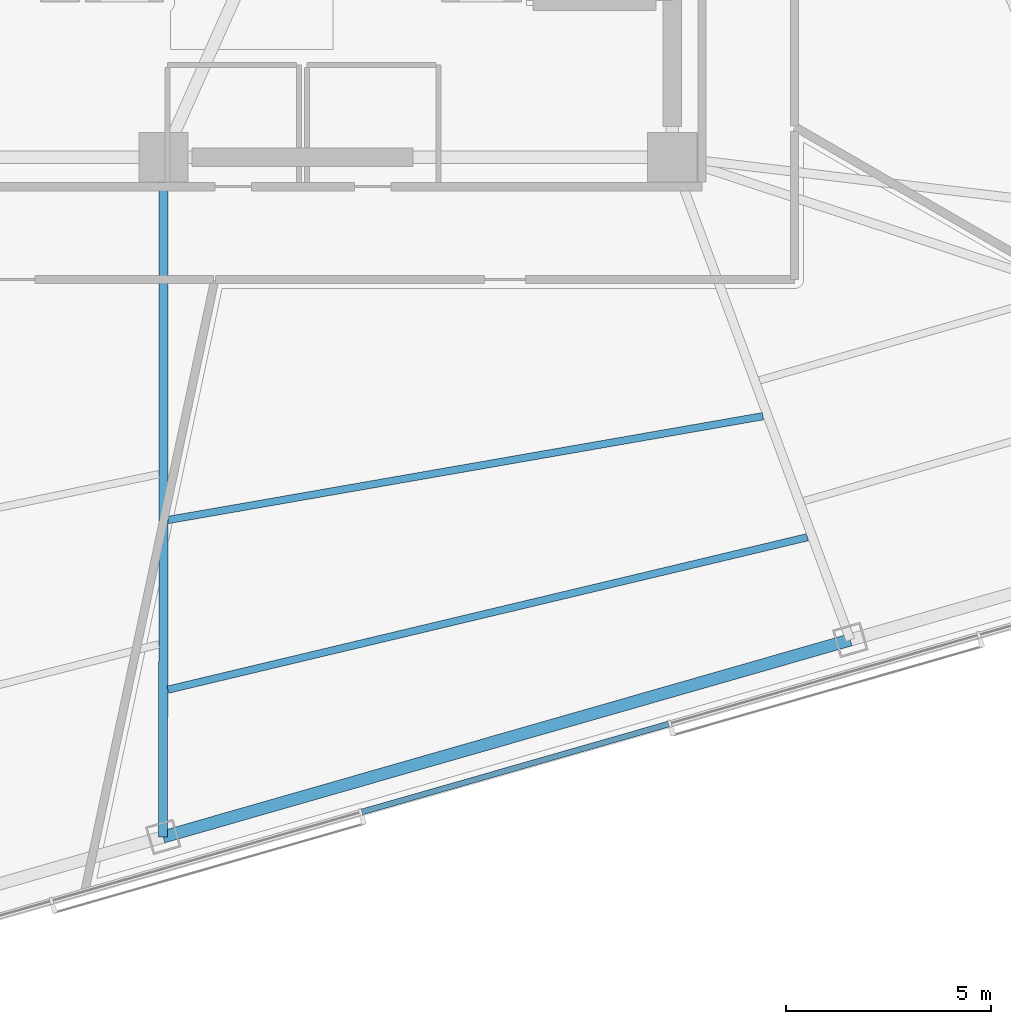
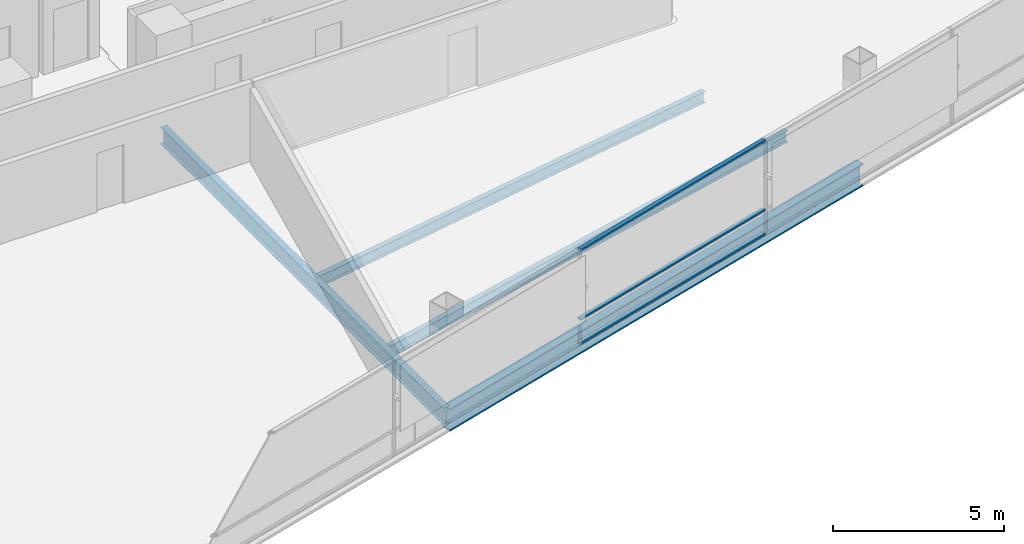
# One storey, part 3 of 16: 4 beams, 3 members, 1 element without a shape of its own.
"""IFC4 building model written with IfcOpenShell, lengths in metres."""

from ifc_helpers import new_model, si_unit, direction, frame, origin, origin_2d, place, context, subcontext, project, spatial, rectangle, i_section, extrude, material, layer, layer_set, material_profile, profile_set, type_object, element, aggregate, save


model = new_model("IFC4")

# Units and contexts
model_context = context("Model", 3, precision=1e-05, world=origin(), true_north=direction((0.0, 1.0)))
body_context = subcontext(model_context, "Body", "Model", "MODEL_VIEW")
ifc_project = project(units=[si_unit("LENGTHUNIT", "METRE"), si_unit("AREAUNIT", "SQUARE_METRE"), si_unit("VOLUMEUNIT", "CUBIC_METRE"), si_unit("PLANEANGLEUNIT", "RADIAN"), si_unit("MASSUNIT", "GRAM", prefix="KILO")], contexts=[model_context])

# Site, building, storey
site_placement = place(None, origin())
site = spatial("IfcSite", under=ifc_project, at=site_placement, CompositionType="ELEMENT")
building_placement = place(site_placement, origin())
building = spatial("IfcBuilding", under=site, at=building_placement, Name="Tharavind Bronze Gate", CompositionType="ELEMENT")
storey_placement = place(building_placement, frame((0.0, 0.0, 104.10009765625)))
storey = spatial("IfcBuildingStorey", under=building, at=storey_placement, Name="L26", CompositionType="ELEMENT", Elevation=104.10009765625)

# Curtain wall, members
ifc_material_1 = material(Name="Anodised Bronze Aluminium", Category="aluminium")
ifc_layer = layer(ifc_material_1, 0.219970703125)
ifc_layer_set = layer_set([ifc_layer], Name="Anodised Bronze Aluminium")
curtain_wall_type = type_object("IfcCurtainWallType", Name="UNITISED CURTAIN WALL LOWER OFFICE", PredefinedType="USERDEFINED", material=ifc_layer_set)
curtain_wall_placement = place(storey_placement, origin())
curtain_wall = element("IfcCurtainWall", 1, at=curtain_wall_placement, inside=storey, type_object=curtain_wall_type, Name="L26 unitised curtain wall lower office CW-L26-S2", ObjectType="UNITISED CURTAIN WALL", PredefinedType="USERDEFINED")
member_type = type_object("IfcMemberType", Name="CURTAIN WALL BRONZE TRANSOM 65X140", PredefinedType="USERDEFINED", material=ifc_material_1)
member_1_placement = place(storey_placement, frame((5.07177734375, -22.487060546875, 0.0), z_axis=(0.0, 0.0, 1.0), x_axis=(0.961261695938, 0.275637355817, 0.0)))
member_1 = element("IfcMember", 2, at=member_1_placement, type_object=member_type, Name="CW-L26-S2 transom TB4", ObjectType="TRANSOM", PredefinedType="USERDEFINED", context=body_context, shape_type="SweptSolid", body=[
    extrude(rectangle(XDim=7.7841796875, YDim=0.139892578125, at=origin_2d()), origin(), (0.0, 0.0, 1.0), 0.06494140625),
])
member_2_placement = place(storey_placement, frame((5.07177734375, -22.487060546875, 0.867431640625), z_axis=(0.0, 0.0, 1.0), x_axis=(0.961261695938, 0.275637355817, 0.0)))
member_2 = element("IfcMember", 3, at=member_2_placement, type_object=member_type, Name="CW-L26-S2 transom TS4", ObjectType="TRANSOM", PredefinedType="USERDEFINED", context=body_context, shape_type="SweptSolid", body=[
    extrude(rectangle(XDim=7.7841796875, YDim=0.139892578125, at=origin_2d()), origin(), (0.0, 0.0, 1.0), 0.06494140625),
])
member_3_placement = place(storey_placement, frame((5.07177734375, -22.487060546875, 3.344970703125), z_axis=(0.0, 0.0, 1.0), x_axis=(0.961261695938, 0.275637355817, 0.0)))
member_3 = element("IfcMember", 4, at=member_3_placement, type_object=member_type, Name="CW-L26-S2 transom TT4", ObjectType="TRANSOM", PredefinedType="USERDEFINED", context=body_context, shape_type="SweptSolid", body=[
    extrude(rectangle(XDim=7.7841796875, YDim=0.139892578125, at=origin_2d()), origin(), (0.0, 0.0, 1.0), 0.06494140625),
])
aggregate(curtain_wall, [member_1, member_2, member_3])

# Beams
ifc_material_2 = material(Name="Steel S355", Category="steel")
ifc_material_profile_1 = material_profile(ifc_material_2, i_section(OverallWidth=0.219970703125, OverallDepth=0.60009765625, WebThickness=0.011962890625, FlangeThickness=0.01904296875, at=origin_2d()), Name="IPE600")
ifc_profile_set_1 = profile_set([ifc_material_profile_1], Name="Steel S355")
beam_type_1 = type_object("IfcBeamType", Name="PRIMARY GIRDER IPE600", PredefinedType="USERDEFINED", material=ifc_profile_set_1)
beam_1_placement = place(storey_placement, frame((-3.5078125, -24.1669921875, -0.489990234375), z_axis=(0.000471572938, 0.999999888809, 0.0), x_axis=(-0.999999888809, 0.000471572938, 0.0)))
element("IfcBeam", 5, at=beam_1_placement, inside=storey, type_object=beam_type_1, Name="L26 primary girder ipe600 BM-L26-RAD06", ObjectType="GIRDER", PredefinedType="USERDEFINED", context=body_context, shape_type="SweptSolid", body=[
    extrude(i_section(OverallWidth=0.219970703125, OverallDepth=0.60009765625, WebThickness=0.011962890625, FlangeThickness=0.01904296875, at=origin_2d()), origin(), (0.0, 0.0, 1.0), 16.56689453125),
])
ifc_material_profile_2 = material_profile(ifc_material_2, i_section(OverallWidth=0.300048828125, OverallDepth=0.800048828125, WebThickness=0.017578125, FlangeThickness=0.032958984375, at=origin_2d()), Name="HE800B")
ifc_profile_set_2 = profile_set([ifc_material_profile_2], Name="Steel S355")
beam_type_2 = type_object("IfcBeamType", Name="RING GIRDER HE800B", PredefinedType="USERDEFINED", material=ifc_profile_set_2)
beam_2_placement = place(storey_placement, frame((-3.5078125, -24.1669921875, -0.590087890625), z_axis=(0.961261198388, 0.275639090974, 0.0), x_axis=(-0.275639090974, 0.961261198388, 0.0)))
element("IfcBeam", 6, at=beam_2_placement, inside=storey, type_object=beam_type_2, Name="L26 ring girder he800b BM-L26-PRG06", ObjectType="GIRDER", PredefinedType="USERDEFINED", context=body_context, shape_type="SweptSolid", body=[
    extrude(i_section(OverallWidth=0.300048828125, OverallDepth=0.800048828125, WebThickness=0.017578125, FlangeThickness=0.032958984375, at=origin_2d()), origin(), (0.0, 0.0, 1.0), 17.42041015625),
])
ifc_material_profile_3 = material_profile(ifc_material_2, i_section(OverallWidth=0.179931640625, OverallDepth=0.39990234375, WebThickness=0.008544921875, FlangeThickness=0.013427734375, at=origin_2d()), Name="IPE400")
ifc_profile_set_3 = profile_set([ifc_material_profile_3], Name="Steel S355")
beam_type_3 = type_object("IfcBeamType", Name="SECONDARY FLOOR JOIST IPE400", PredefinedType="JOIST", material=ifc_profile_set_3)
beam_3_placement = place(storey_placement, frame((-3.390380859375, -16.443603515625, -0.39013671875), z_axis=(0.985119071956, 0.171873250008, 0.0), x_axis=(-0.171873250008, 0.985119071956, 0.0)))
element("IfcBeam", 7, at=beam_3_placement, inside=storey, type_object=beam_type_3, Name="L26 secondary floor joist ipe400 BM-L26-JSTA06", PredefinedType="JOIST", context=body_context, shape_type="SweptSolid", body=[
    extrude(i_section(OverallWidth=0.179931640625, OverallDepth=0.39990234375, WebThickness=0.008544921875, FlangeThickness=0.013427734375, at=origin_2d()), origin(), (0.0, 0.0, 1.0), 14.716064453125),
])
beam_4_placement = place(storey_placement, frame((-3.392333984375, -20.577880859375, -0.39013671875), z_axis=(0.972740944014, 0.231894492903, 0.0), x_axis=(-0.231894492903, 0.972740944014, 0.0)))
element("IfcBeam", 8, at=beam_4_placement, inside=storey, type_object=beam_type_3, Name="L26 secondary floor joist ipe400 BM-L26-JSTB06", PredefinedType="JOIST", context=body_context, shape_type="SweptSolid", body=[
    extrude(i_section(OverallWidth=0.179931640625, OverallDepth=0.39990234375, WebThickness=0.008544921875, FlangeThickness=0.013427734375, at=origin_2d()), origin(), (0.0, 0.0, 1.0), 16.022705078125),
])

save(model, "model.ifc")
